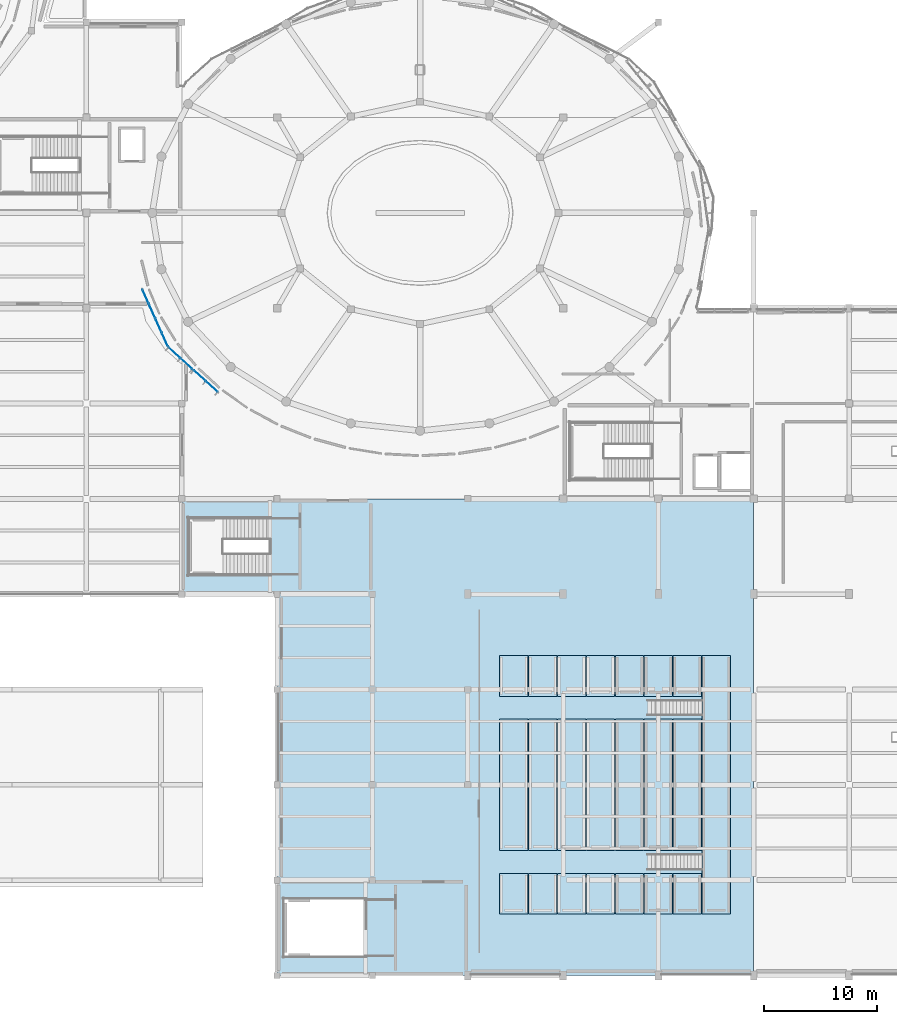
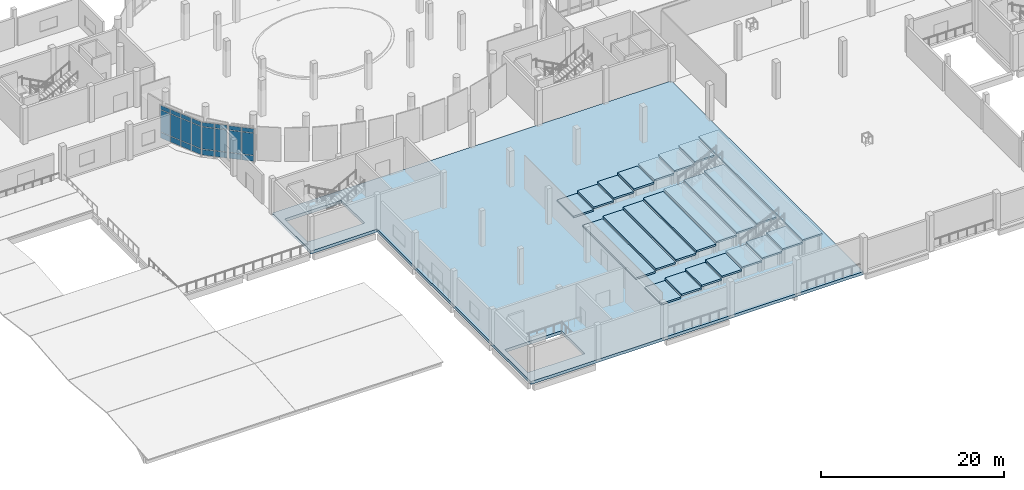
# One storey, part 32 of 63: 24 plates, 23 slabs, 3 elements without a shape of their own.
"""IFC4 building model written with IfcOpenShell, lengths in metres."""

from ifc_helpers import new_model, si_unit, derived_unit, direction, frame, origin, origin_2d, place, context, subcontext, project, spatial, polyline, rectangle, outline, extrude, material, layer, layer_set, type_object, element, aggregate, save


model = new_model("IFC4")

# Units and contexts
model_context = context("Model", 3, precision=1e-05, world=origin(), true_north=direction((0.0, 1.0)))
body_context = subcontext(model_context, "Body", "Model", "MODEL_VIEW")
ifc_project = project(units=[si_unit("LENGTHUNIT", "METRE"), si_unit("AREAUNIT", "SQUARE_METRE"), si_unit("VOLUMEUNIT", "CUBIC_METRE"), si_unit("PLANEANGLEUNIT", "RADIAN"), si_unit("MASSUNIT", "GRAM", prefix="KILO"), derived_unit("THERMALTRANSMITTANCEUNIT", [(si_unit("POWERUNIT", "WATT"), 1), (si_unit("LENGTHUNIT", "METRE"), -2), (si_unit("THERMODYNAMICTEMPERATUREUNIT", "KELVIN"), -1)])], contexts=[model_context])

# Site, building, storey
site_placement = place(None, origin())
site = spatial("IfcSite", under=ifc_project, at=site_placement, CompositionType="ELEMENT")
building_placement = place(site_placement, origin())
building = spatial("IfcBuilding", under=site, at=building_placement, Name="Elbkamm Science Centre", CompositionType="ELEMENT")
storey_placement = place(building_placement, frame((0.0, 0.0, 5.10009765625)))
storey = spatial("IfcBuildingStorey", under=building, at=storey_placement, Name="L01", CompositionType="ELEMENT", Elevation=5.10009765625)

# Curtain wall, plates
ifc_material_1 = material(Name="Powder-coated aluminium and triple low-E glazing", Category="aluminium")
ifc_layer_1 = layer(ifc_material_1, 0.159912109375)
ifc_layer_set_1 = layer_set([ifc_layer_1], Name="Powder-coated aluminium and triple low-E glazing")
curtain_wall_type_1 = type_object("IfcCurtainWallType", Name="CW-UNIT-5580x4500", PredefinedType="USERDEFINED", material=ifc_layer_set_1)
curtain_wall_1_placement = place(storey_placement, origin())
curtain_wall_1 = element("IfcCurtainWall", 1, at=curtain_wall_1_placement, inside=storey, type_object=curtain_wall_type_1, Name="L01 Unitised Curtain Wall 012", ObjectType="UNITISED CURTAIN WALL", PredefinedType="USERDEFINED")
ifc_material_2 = material(Name="Triple solar-control insulated safety glass", Category="glass")
ifc_layer_2 = layer(ifc_material_2, 0.048095703125)
ifc_layer_set_2 = layer_set([ifc_layer_2], Name="Triple solar-control insulated safety glass")
plate_type = type_object("IfcPlateType", Name="CW-PNL-48", PredefinedType="CURTAIN_PANEL", material=ifc_layer_set_2)
plate_1_placement = place(storey_placement, frame((38.8046875, 59.8271484375, 0.06982421875), z_axis=(0.0, 0.0, 1.0), x_axis=(0.408509663981, -0.912753994477, 0.0)))
plate_1 = element("IfcPlate", 2, at=plate_1_placement, type_object=plate_type, Name="CW-007 panel 1.1", PredefinedType="CURTAIN_PANEL", context=body_context, shape_type="SweptSolid", body=[
    extrude(rectangle(XDim=1.2919921875, YDim=0.048095703125, at=origin_2d()), origin(), (0.0, 0.0, 1.0), 0.7451171875),
])
plate_2_placement = place(storey_placement, frame((38.8046875, 59.8271484375, 0.884765625), z_axis=(0.0, 0.0, 1.0), x_axis=(0.408509663981, -0.912753994477, 0.0)))
plate_2 = element("IfcPlate", 3, at=plate_2_placement, type_object=plate_type, Name="CW-007 panel 1.2", PredefinedType="CURTAIN_PANEL", context=body_context, shape_type="SweptSolid", body=[
    extrude(rectangle(XDim=1.2919921875, YDim=0.048095703125, at=origin_2d()), origin(), (0.0, 0.0, 1.0), 2.929931640625),
])
plate_3_placement = place(storey_placement, frame((38.8046875, 59.8271484375, 3.885009765625), z_axis=(0.0, 0.0, 1.0), x_axis=(0.408509663981, -0.912753994477, 0.0)))
plate_3 = element("IfcPlate", 4, at=plate_3_placement, type_object=plate_type, Name="CW-007 panel 1.3", PredefinedType="CURTAIN_PANEL", context=body_context, shape_type="SweptSolid", body=[
    extrude(rectangle(XDim=1.2919921875, YDim=0.048095703125, at=origin_2d()), origin(), (0.0, 0.0, 1.0), 0.544921875),
])
plate_4_placement = place(storey_placement, frame((39.368408203125, 58.568115234375, 0.06982421875), z_axis=(0.0, 0.0, 1.0), x_axis=(0.408509663981, -0.912753994477, 0.0)))
plate_4 = element("IfcPlate", 5, at=plate_4_placement, type_object=plate_type, Name="CW-007 panel 2.1", PredefinedType="CURTAIN_PANEL", context=body_context, shape_type="SweptSolid", body=[
    extrude(rectangle(XDim=1.3271484375, YDim=0.048095703125, at=origin_2d()), origin(), (0.0, 0.0, 1.0), 0.7451171875),
])
plate_5_placement = place(storey_placement, frame((39.368408203125, 58.568115234375, 0.884765625), z_axis=(0.0, 0.0, 1.0), x_axis=(0.408509663981, -0.912753994477, 0.0)))
plate_5 = element("IfcPlate", 6, at=plate_5_placement, type_object=plate_type, Name="CW-007 panel 2.2", PredefinedType="CURTAIN_PANEL", context=body_context, shape_type="SweptSolid", body=[
    extrude(rectangle(XDim=1.3271484375, YDim=0.048095703125, at=origin_2d()), origin(), (0.0, 0.0, 1.0), 2.929931640625),
])
plate_6_placement = place(storey_placement, frame((39.368408203125, 58.568115234375, 3.885009765625), z_axis=(0.0, 0.0, 1.0), x_axis=(0.408509663981, -0.912753994477, 0.0)))
plate_6 = element("IfcPlate", 7, at=plate_6_placement, type_object=plate_type, Name="CW-007 panel 2.3", PredefinedType="CURTAIN_PANEL", context=body_context, shape_type="SweptSolid", body=[
    extrude(rectangle(XDim=1.3271484375, YDim=0.048095703125, at=origin_2d()), origin(), (0.0, 0.0, 1.0), 0.544921875),
])
plate_7_placement = place(storey_placement, frame((39.93896484375, 57.292724609375, 0.06982421875), z_axis=(0.0, 0.0, 1.0), x_axis=(0.408509663981, -0.912753994477, 0.0)))
plate_7 = element("IfcPlate", 8, at=plate_7_placement, type_object=plate_type, Name="CW-007 panel 3.1", PredefinedType="CURTAIN_PANEL", context=body_context, shape_type="SweptSolid", body=[
    extrude(rectangle(XDim=1.3271484375, YDim=0.048095703125, at=origin_2d()), origin(), (0.0, 0.0, 1.0), 0.7451171875),
])
plate_8_placement = place(storey_placement, frame((39.93896484375, 57.292724609375, 0.884765625), z_axis=(0.0, 0.0, 1.0), x_axis=(0.408509663981, -0.912753994477, 0.0)))
plate_8 = element("IfcPlate", 9, at=plate_8_placement, type_object=plate_type, Name="CW-007 panel 3.2", PredefinedType="CURTAIN_PANEL", context=body_context, shape_type="SweptSolid", body=[
    extrude(rectangle(XDim=1.3271484375, YDim=0.048095703125, at=origin_2d()), origin(), (0.0, 0.0, 1.0), 2.929931640625),
])
plate_9_placement = place(storey_placement, frame((39.93896484375, 57.292724609375, 3.885009765625), z_axis=(0.0, 0.0, 1.0), x_axis=(0.408509663981, -0.912753994477, 0.0)))
plate_9 = element("IfcPlate", 10, at=plate_9_placement, type_object=plate_type, Name="CW-007 panel 3.3", PredefinedType="CURTAIN_PANEL", context=body_context, shape_type="SweptSolid", body=[
    extrude(rectangle(XDim=1.3271484375, YDim=0.048095703125, at=origin_2d()), origin(), (0.0, 0.0, 1.0), 0.544921875),
])
plate_10_placement = place(storey_placement, frame((40.502685546875, 56.03369140625, 0.06982421875), z_axis=(0.0, 0.0, 1.0), x_axis=(0.408509663981, -0.912753994477, 0.0)))
plate_10 = element("IfcPlate", 11, at=plate_10_placement, type_object=plate_type, Name="CW-007 panel 4.1", PredefinedType="CURTAIN_PANEL", context=body_context, shape_type="SweptSolid", body=[
    extrude(rectangle(XDim=1.2919921875, YDim=0.048095703125, at=origin_2d()), origin(), (0.0, 0.0, 1.0), 0.7451171875),
])
plate_11_placement = place(storey_placement, frame((40.502685546875, 56.03369140625, 0.884765625), z_axis=(0.0, 0.0, 1.0), x_axis=(0.408509663981, -0.912753994477, 0.0)))
plate_11 = element("IfcPlate", 12, at=plate_11_placement, type_object=plate_type, Name="CW-007 panel 4.2", PredefinedType="CURTAIN_PANEL", context=body_context, shape_type="SweptSolid", body=[
    extrude(rectangle(XDim=1.2919921875, YDim=0.048095703125, at=origin_2d()), origin(), (0.0, 0.0, 1.0), 2.929931640625),
])
plate_12_placement = place(storey_placement, frame((40.502685546875, 56.03369140625, 3.885009765625), z_axis=(0.0, 0.0, 1.0), x_axis=(0.408509663981, -0.912753994477, 0.0)))
plate_12 = element("IfcPlate", 13, at=plate_12_placement, type_object=plate_type, Name="CW-007 panel 4.3", PredefinedType="CURTAIN_PANEL", context=body_context, shape_type="SweptSolid", body=[
    extrude(rectangle(XDim=1.2919921875, YDim=0.048095703125, at=origin_2d()), origin(), (0.0, 0.0, 1.0), 0.544921875),
])
aggregate(curtain_wall_1, [plate_1, plate_2, plate_3, plate_4, plate_5, plate_6, plate_7, plate_8, plate_9, plate_10, plate_11, plate_12])

ifc_layer_3 = layer(ifc_material_1, 0.159912109375)
ifc_layer_set_3 = layer_set([ifc_layer_3], Name="Powder-coated aluminium and triple low-E glazing")
curtain_wall_type_2 = type_object("IfcCurtainWallType", Name="CW-UNIT-2940x4500", PredefinedType="USERDEFINED", material=ifc_layer_set_3)
curtain_wall_2_placement = place(storey_placement, origin())
curtain_wall_2 = element("IfcCurtainWall", 14, at=curtain_wall_2_placement, inside=storey, type_object=curtain_wall_type_2, Name="L01 Unitised Curtain Wall 013", ObjectType="UNITISED CURTAIN WALL", PredefinedType="USERDEFINED")
plate_13_placement = place(storey_placement, frame((41.3505859375, 54.8759765625, 0.06982421875), z_axis=(0.0, 0.0, 1.0), x_axis=(0.740557474448, -0.671993026035, 0.0)))
plate_13 = element("IfcPlate", 15, at=plate_13_placement, type_object=plate_type, Name="CW-008 panel 1.1", PredefinedType="CURTAIN_PANEL", context=body_context, shape_type="SweptSolid", body=[
    extrude(rectangle(XDim=1.360107421875, YDim=0.048095703125, at=origin_2d()), origin(), (0.0, 0.0, 1.0), 0.7451171875),
])
plate_14_placement = place(storey_placement, frame((41.3505859375, 54.8759765625, 0.884765625), z_axis=(0.0, 0.0, 1.0), x_axis=(0.740557474448, -0.671993026035, 0.0)))
plate_14 = element("IfcPlate", 16, at=plate_14_placement, type_object=plate_type, Name="CW-008 panel 1.2", PredefinedType="CURTAIN_PANEL", context=body_context, shape_type="SweptSolid", body=[
    extrude(rectangle(XDim=1.360107421875, YDim=0.048095703125, at=origin_2d()), origin(), (0.0, 0.0, 1.0), 2.929931640625),
])
plate_15_placement = place(storey_placement, frame((41.3505859375, 54.8759765625, 3.885009765625), z_axis=(0.0, 0.0, 1.0), x_axis=(0.740557474448, -0.671993026035, 0.0)))
plate_15 = element("IfcPlate", 17, at=plate_15_placement, type_object=plate_type, Name="CW-008 panel 1.3", PredefinedType="CURTAIN_PANEL", context=body_context, shape_type="SweptSolid", body=[
    extrude(rectangle(XDim=1.360107421875, YDim=0.048095703125, at=origin_2d()), origin(), (0.0, 0.0, 1.0), 0.544921875),
])
plate_16_placement = place(storey_placement, frame((42.40966796875, 53.9150390625, 0.06982421875), z_axis=(0.0, 0.0, 1.0), x_axis=(0.740557474448, -0.671993026035, 0.0)))
plate_16 = element("IfcPlate", 18, at=plate_16_placement, type_object=plate_type, Name="CW-008 panel 2.1", PredefinedType="CURTAIN_PANEL", context=body_context, shape_type="SweptSolid", body=[
    extrude(rectangle(XDim=1.360107421875, YDim=0.048095703125, at=origin_2d()), origin(), (0.0, 0.0, 1.0), 0.7451171875),
])
plate_17_placement = place(storey_placement, frame((42.40966796875, 53.9150390625, 0.884765625), z_axis=(0.0, 0.0, 1.0), x_axis=(0.740557474448, -0.671993026035, 0.0)))
plate_17 = element("IfcPlate", 19, at=plate_17_placement, type_object=plate_type, Name="CW-008 panel 2.2", PredefinedType="CURTAIN_PANEL", context=body_context, shape_type="SweptSolid", body=[
    extrude(rectangle(XDim=1.360107421875, YDim=0.048095703125, at=origin_2d()), origin(), (0.0, 0.0, 1.0), 2.929931640625),
])
plate_18_placement = place(storey_placement, frame((42.40966796875, 53.9150390625, 3.885009765625), z_axis=(0.0, 0.0, 1.0), x_axis=(0.740557474448, -0.671993026035, 0.0)))
plate_18 = element("IfcPlate", 20, at=plate_18_placement, type_object=plate_type, Name="CW-008 panel 2.3", PredefinedType="CURTAIN_PANEL", context=body_context, shape_type="SweptSolid", body=[
    extrude(rectangle(XDim=1.360107421875, YDim=0.048095703125, at=origin_2d()), origin(), (0.0, 0.0, 1.0), 0.544921875),
])
aggregate(curtain_wall_2, [plate_13, plate_14, plate_15, plate_16, plate_17, plate_18])

curtain_wall_3_placement = place(storey_placement, origin())
curtain_wall_3 = element("IfcCurtainWall", 21, at=curtain_wall_3_placement, inside=storey, type_object=curtain_wall_type_2, Name="L01 Unitised Curtain Wall 014", ObjectType="UNITISED CURTAIN WALL", PredefinedType="USERDEFINED")
plate_19_placement = place(storey_placement, frame((43.57958984375, 52.853271484375, 0.06982421875), z_axis=(0.0, 0.0, 1.0), x_axis=(0.740557474448, -0.671993026035, 0.0)))
plate_19 = element("IfcPlate", 22, at=plate_19_placement, type_object=plate_type, Name="CW-008 panel 1.1", PredefinedType="CURTAIN_PANEL", context=body_context, shape_type="SweptSolid", body=[
    extrude(rectangle(XDim=1.360107421875, YDim=0.048095703125, at=origin_2d()), origin(), (0.0, 0.0, 1.0), 0.7451171875),
])
plate_20_placement = place(storey_placement, frame((43.57958984375, 52.853271484375, 0.884765625), z_axis=(0.0, 0.0, 1.0), x_axis=(0.740557474448, -0.671993026035, 0.0)))
plate_20 = element("IfcPlate", 23, at=plate_20_placement, type_object=plate_type, Name="CW-008 panel 1.2", PredefinedType="CURTAIN_PANEL", context=body_context, shape_type="SweptSolid", body=[
    extrude(rectangle(XDim=1.360107421875, YDim=0.048095703125, at=origin_2d()), origin(), (0.0, 0.0, 1.0), 2.929931640625),
])
plate_21_placement = place(storey_placement, frame((43.57958984375, 52.853271484375, 3.885009765625), z_axis=(0.0, 0.0, 1.0), x_axis=(0.740557474448, -0.671993026035, 0.0)))
plate_21 = element("IfcPlate", 24, at=plate_21_placement, type_object=plate_type, Name="CW-008 panel 1.3", PredefinedType="CURTAIN_PANEL", context=body_context, shape_type="SweptSolid", body=[
    extrude(rectangle(XDim=1.360107421875, YDim=0.048095703125, at=origin_2d()), origin(), (0.0, 0.0, 1.0), 0.544921875),
])
plate_22_placement = place(storey_placement, frame((44.638671875, 51.89208984375, 0.06982421875), z_axis=(0.0, 0.0, 1.0), x_axis=(0.740557474448, -0.671993026035, 0.0)))
plate_22 = element("IfcPlate", 25, at=plate_22_placement, type_object=plate_type, Name="CW-008 panel 2.1", PredefinedType="CURTAIN_PANEL", context=body_context, shape_type="SweptSolid", body=[
    extrude(rectangle(XDim=1.360107421875, YDim=0.048095703125, at=origin_2d()), origin(), (0.0, 0.0, 1.0), 0.7451171875),
])
plate_23_placement = place(storey_placement, frame((44.638671875, 51.89208984375, 0.884765625), z_axis=(0.0, 0.0, 1.0), x_axis=(0.740557474448, -0.671993026035, 0.0)))
plate_23 = element("IfcPlate", 26, at=plate_23_placement, type_object=plate_type, Name="CW-008 panel 2.2", PredefinedType="CURTAIN_PANEL", context=body_context, shape_type="SweptSolid", body=[
    extrude(rectangle(XDim=1.360107421875, YDim=0.048095703125, at=origin_2d()), origin(), (0.0, 0.0, 1.0), 2.929931640625),
])
plate_24_placement = place(storey_placement, frame((44.638671875, 51.89208984375, 3.885009765625), z_axis=(0.0, 0.0, 1.0), x_axis=(0.740557474448, -0.671993026035, 0.0)))
plate_24 = element("IfcPlate", 27, at=plate_24_placement, type_object=plate_type, Name="CW-008 panel 2.3", PredefinedType="CURTAIN_PANEL", context=body_context, shape_type="SweptSolid", body=[
    extrude(rectangle(XDim=1.360107421875, YDim=0.048095703125, at=origin_2d()), origin(), (0.0, 0.0, 1.0), 0.544921875),
])
aggregate(curtain_wall_3, [plate_19, plate_20, plate_21, plate_22, plate_23, plate_24])

# Slabs
ifc_material_3 = material(Name="Reinforced concrete C40/50", Category="concrete")
ifc_layer_4 = layer(ifc_material_3, 0.39990234375)
ifc_layer_set_4 = layer_set([ifc_layer_4], Name="Reinforced concrete C40/50")
slab_type_1 = type_object("IfcSlabType", Name="SLAB-FLR-400", PredefinedType="FLOOR", material=ifc_layer_set_4)
slab_1_placement = place(storey_placement, frame((0.0, 0.0, -0.400146484375)))
element("IfcSlab", 28, at=slab_1_placement, inside=storey, type_object=slab_type_1, Name="L01 Structural Slab CS-03", PredefinedType="FLOOR", context=body_context, shape_type="SweptSolid", body=[
    extrude(outline(polyline([(67.199951171875, 0.0), (50.39990234375, 0.0), (50.39990234375, 8.39990234375), (50.39990234375, 33.60009765625), (42.0, 33.60009765625), (42.0, 42.0), (92.39990234375, 42.0), (92.39990234375, 0.0), (67.199951171875, 0.0)]), holes=[polyline([(42.60009765625, 35.280029296875), (49.780029296875, 35.280029296875), (49.780029296875, 40.320068359375), (42.60009765625, 40.320068359375), (42.60009765625, 35.280029296875)]), polyline([(51.0, 6.719970703125), (51.0, 1.679931640625), (58.179931640625, 1.679931640625), (58.179931640625, 6.719970703125), (51.0, 6.719970703125)])]), origin(), (0.0, 0.0, 1.0), 0.400146484375),
])
ifc_material_4 = material(Name="Precast concrete C40/50", Category="concrete")
ifc_layer_5 = layer(ifc_material_4, 0.22998046875)
ifc_layer_set_5 = layer_set([ifc_layer_5], Name="Precast concrete C40/50")
slab_type_2 = type_object("IfcSlabType", Name="SLAB-TIER-230", PredefinedType="USERDEFINED", material=ifc_layer_set_5)
slab_2_placement = place(storey_placement, frame((0.0, 0.0, 0.08984375)))
element("IfcSlab", 29, at=slab_2_placement, inside=storey, type_object=slab_type_2, Name="Science Theatre Raked Seating Tier 1 Section 1", ObjectType="SEATING TIER", PredefinedType="USERDEFINED", context=body_context, shape_type="SweptSolid", body=[
    extrude(outline(polyline([(70.0, 5.39990234375), (70.0, 9.0), (72.5, 9.0), (72.5, 5.39990234375), (70.0, 5.39990234375)])), origin(), (0.0, 0.0, 1.0), 0.22998046875),
])
slab_3_placement = place(storey_placement, frame((0.0, 0.0, 0.08984375)))
element("IfcSlab", 30, at=slab_3_placement, inside=storey, type_object=slab_type_2, Name="Science Theatre Raked Seating Tier 1 Section 2", ObjectType="SEATING TIER", PredefinedType="USERDEFINED", context=body_context, shape_type="SweptSolid", body=[
    extrude(outline(polyline([(72.5, 28.199951171875), (72.5, 24.60009765625), (70.0, 24.60009765625), (70.0, 28.199951171875), (72.5, 28.199951171875)])), origin(), (0.0, 0.0, 1.0), 0.22998046875),
])
slab_4_placement = place(storey_placement, frame((0.0, 0.0, 0.08984375)))
element("IfcSlab", 31, at=slab_4_placement, inside=storey, type_object=slab_type_2, Name="Science Theatre Raked Seating Tier 1 Section 3", ObjectType="SEATING TIER", PredefinedType="USERDEFINED", context=body_context, shape_type="SweptSolid", body=[
    extrude(outline(polyline([(72.5, 11.0), (70.0, 11.0), (70.0, 22.60009765625), (72.5, 22.60009765625), (72.5, 11.0)])), origin(), (0.0, 0.0, 1.0), 0.22998046875),
])
slab_5_placement = place(storey_placement, frame((0.0, 0.0, 0.409912109375)))
element("IfcSlab", 32, at=slab_5_placement, inside=storey, type_object=slab_type_2, Name="Science Theatre Raked Seating Tier 2 Section 1", ObjectType="SEATING TIER", PredefinedType="USERDEFINED", context=body_context, shape_type="SweptSolid", body=[
    extrude(outline(polyline([(72.550048828125, 5.39990234375), (72.550048828125, 9.0), (75.050048828125, 9.0), (75.050048828125, 5.39990234375), (72.550048828125, 5.39990234375)])), origin(), (0.0, 0.0, 1.0), 0.22998046875),
])
slab_6_placement = place(storey_placement, frame((0.0, 0.0, 0.409912109375)))
element("IfcSlab", 33, at=slab_6_placement, inside=storey, type_object=slab_type_2, Name="Science Theatre Raked Seating Tier 2 Section 2", ObjectType="SEATING TIER", PredefinedType="USERDEFINED", context=body_context, shape_type="SweptSolid", body=[
    extrude(outline(polyline([(75.050048828125, 28.199951171875), (75.050048828125, 24.60009765625), (72.550048828125, 24.60009765625), (72.550048828125, 28.199951171875), (75.050048828125, 28.199951171875)])), origin(), (0.0, 0.0, 1.0), 0.22998046875),
])
slab_7_placement = place(storey_placement, frame((0.0, 0.0, 0.409912109375)))
element("IfcSlab", 34, at=slab_7_placement, inside=storey, type_object=slab_type_2, Name="Science Theatre Raked Seating Tier 2 Section 3", ObjectType="SEATING TIER", PredefinedType="USERDEFINED", context=body_context, shape_type="SweptSolid", body=[
    extrude(outline(polyline([(75.050048828125, 11.0), (72.550048828125, 11.0), (72.550048828125, 22.60009765625), (75.050048828125, 22.60009765625), (75.050048828125, 11.0)])), origin(), (0.0, 0.0, 1.0), 0.22998046875),
])
slab_8_placement = place(storey_placement, frame((0.0, 0.0, 0.72998046875)))
element("IfcSlab", 35, at=slab_8_placement, inside=storey, type_object=slab_type_2, Name="Science Theatre Raked Seating Tier 3 Section 1", ObjectType="SEATING TIER", PredefinedType="USERDEFINED", context=body_context, shape_type="SweptSolid", body=[
    extrude(outline(polyline([(75.10009765625, 5.39990234375), (75.10009765625, 9.0), (77.60009765625, 9.0), (77.60009765625, 5.39990234375), (75.10009765625, 5.39990234375)])), origin(), (0.0, 0.0, 1.0), 0.22998046875),
])
slab_9_placement = place(storey_placement, frame((0.0, 0.0, 0.72998046875)))
element("IfcSlab", 36, at=slab_9_placement, inside=storey, type_object=slab_type_2, Name="Science Theatre Raked Seating Tier 3 Section 2", ObjectType="SEATING TIER", PredefinedType="USERDEFINED", context=body_context, shape_type="SweptSolid", body=[
    extrude(outline(polyline([(77.60009765625, 28.199951171875), (77.60009765625, 24.60009765625), (75.10009765625, 24.60009765625), (75.10009765625, 28.199951171875), (77.60009765625, 28.199951171875)])), origin(), (0.0, 0.0, 1.0), 0.22998046875),
])
slab_10_placement = place(storey_placement, frame((0.0, 0.0, 0.72998046875)))
element("IfcSlab", 37, at=slab_10_placement, inside=storey, type_object=slab_type_2, Name="Science Theatre Raked Seating Tier 3 Section 3", ObjectType="SEATING TIER", PredefinedType="USERDEFINED", context=body_context, shape_type="SweptSolid", body=[
    extrude(outline(polyline([(77.60009765625, 11.0), (75.10009765625, 11.0), (75.10009765625, 22.60009765625), (77.60009765625, 22.60009765625), (77.60009765625, 11.0)])), origin(), (0.0, 0.0, 1.0), 0.22998046875),
])
slab_11_placement = place(storey_placement, frame((0.0, 0.0, 1.0498046875)))
element("IfcSlab", 38, at=slab_11_placement, inside=storey, type_object=slab_type_2, Name="Science Theatre Raked Seating Tier 4 Section 1", ObjectType="SEATING TIER", PredefinedType="USERDEFINED", context=body_context, shape_type="SweptSolid", body=[
    extrude(outline(polyline([(77.64990234375, 5.39990234375), (77.64990234375, 9.0), (80.14990234375, 9.0), (80.14990234375, 5.39990234375), (77.64990234375, 5.39990234375)])), origin(), (0.0, 0.0, 1.0), 0.22998046875),
])
slab_12_placement = place(storey_placement, frame((0.0, 0.0, 1.0498046875)))
element("IfcSlab", 39, at=slab_12_placement, inside=storey, type_object=slab_type_2, Name="Science Theatre Raked Seating Tier 4 Section 2", ObjectType="SEATING TIER", PredefinedType="USERDEFINED", context=body_context, shape_type="SweptSolid", body=[
    extrude(outline(polyline([(80.14990234375, 28.199951171875), (80.14990234375, 24.60009765625), (77.64990234375, 24.60009765625), (77.64990234375, 28.199951171875), (80.14990234375, 28.199951171875)])), origin(), (0.0, 0.0, 1.0), 0.22998046875),
])
slab_13_placement = place(storey_placement, frame((0.0, 0.0, 1.0498046875)))
element("IfcSlab", 40, at=slab_13_placement, inside=storey, type_object=slab_type_2, Name="Science Theatre Raked Seating Tier 4 Section 3", ObjectType="SEATING TIER", PredefinedType="USERDEFINED", context=body_context, shape_type="SweptSolid", body=[
    extrude(outline(polyline([(80.14990234375, 11.0), (77.64990234375, 11.0), (77.64990234375, 22.60009765625), (80.14990234375, 22.60009765625), (80.14990234375, 11.0)])), origin(), (0.0, 0.0, 1.0), 0.22998046875),
])
slab_14_placement = place(storey_placement, frame((0.0, 0.0, 1.369873046875)))
element("IfcSlab", 41, at=slab_14_placement, inside=storey, type_object=slab_type_2, Name="Science Theatre Raked Seating Tier 5 Section 1", ObjectType="SEATING TIER", PredefinedType="USERDEFINED", context=body_context, shape_type="SweptSolid", body=[
    extrude(outline(polyline([(80.199951171875, 5.39990234375), (80.199951171875, 9.0), (82.699951171875, 9.0), (82.699951171875, 5.39990234375), (80.199951171875, 5.39990234375)])), origin(), (0.0, 0.0, 1.0), 0.22998046875),
])
slab_15_placement = place(storey_placement, frame((0.0, 0.0, 1.369873046875)))
element("IfcSlab", 42, at=slab_15_placement, inside=storey, type_object=slab_type_2, Name="Science Theatre Raked Seating Tier 5 Section 2", ObjectType="SEATING TIER", PredefinedType="USERDEFINED", context=body_context, shape_type="SweptSolid", body=[
    extrude(outline(polyline([(82.699951171875, 28.199951171875), (82.699951171875, 24.60009765625), (80.199951171875, 24.60009765625), (80.199951171875, 28.199951171875), (82.699951171875, 28.199951171875)])), origin(), (0.0, 0.0, 1.0), 0.22998046875),
])
slab_16_placement = place(storey_placement, frame((0.0, 0.0, 1.369873046875)))
element("IfcSlab", 43, at=slab_16_placement, inside=storey, type_object=slab_type_2, Name="Science Theatre Raked Seating Tier 5 Section 3", ObjectType="SEATING TIER", PredefinedType="USERDEFINED", context=body_context, shape_type="SweptSolid", body=[
    extrude(outline(polyline([(82.699951171875, 11.0), (80.199951171875, 11.0), (80.199951171875, 22.60009765625), (82.699951171875, 22.60009765625), (82.699951171875, 11.0)])), origin(), (0.0, 0.0, 1.0), 0.22998046875),
])
slab_17_placement = place(storey_placement, frame((0.0, 0.0, 1.68994140625)))
element("IfcSlab", 44, at=slab_17_placement, inside=storey, type_object=slab_type_2, Name="Science Theatre Raked Seating Tier 6 Section 1", ObjectType="SEATING TIER", PredefinedType="USERDEFINED", context=body_context, shape_type="SweptSolid", body=[
    extrude(outline(polyline([(82.75, 5.39990234375), (82.75, 9.0), (85.25, 9.0), (85.25, 5.39990234375), (82.75, 5.39990234375)])), origin(), (0.0, 0.0, 1.0), 0.22998046875),
])
slab_18_placement = place(storey_placement, frame((0.0, 0.0, 1.68994140625)))
element("IfcSlab", 45, at=slab_18_placement, inside=storey, type_object=slab_type_2, Name="Science Theatre Raked Seating Tier 6 Section 2", ObjectType="SEATING TIER", PredefinedType="USERDEFINED", context=body_context, shape_type="SweptSolid", body=[
    extrude(outline(polyline([(85.25, 28.199951171875), (85.25, 24.60009765625), (82.75, 24.60009765625), (82.75, 28.199951171875), (85.25, 28.199951171875)])), origin(), (0.0, 0.0, 1.0), 0.22998046875),
])
slab_19_placement = place(storey_placement, frame((0.0, 0.0, 1.68994140625)))
element("IfcSlab", 46, at=slab_19_placement, inside=storey, type_object=slab_type_2, Name="Science Theatre Raked Seating Tier 6 Section 3", ObjectType="SEATING TIER", PredefinedType="USERDEFINED", context=body_context, shape_type="SweptSolid", body=[
    extrude(outline(polyline([(85.25, 11.0), (82.75, 11.0), (82.75, 22.60009765625), (85.25, 22.60009765625), (85.25, 11.0)])), origin(), (0.0, 0.0, 1.0), 0.22998046875),
])
slab_20_placement = place(storey_placement, frame((0.0, 0.0, 2.010009765625)))
element("IfcSlab", 47, at=slab_20_placement, inside=storey, type_object=slab_type_2, Name="Science Theatre Raked Seating Tier 7 Section 1", ObjectType="SEATING TIER", PredefinedType="USERDEFINED", context=body_context, shape_type="SweptSolid", body=[
    extrude(outline(polyline([(85.300048828125, 5.39990234375), (85.300048828125, 9.0), (87.800048828125, 9.0), (87.800048828125, 5.39990234375), (85.300048828125, 5.39990234375)])), origin(), (0.0, 0.0, 1.0), 0.22998046875),
])
slab_21_placement = place(storey_placement, frame((0.0, 0.0, 2.010009765625)))
element("IfcSlab", 48, at=slab_21_placement, inside=storey, type_object=slab_type_2, Name="Science Theatre Raked Seating Tier 7 Section 2", ObjectType="SEATING TIER", PredefinedType="USERDEFINED", context=body_context, shape_type="SweptSolid", body=[
    extrude(outline(polyline([(87.800048828125, 28.199951171875), (87.800048828125, 24.60009765625), (85.300048828125, 24.60009765625), (85.300048828125, 28.199951171875), (87.800048828125, 28.199951171875)])), origin(), (0.0, 0.0, 1.0), 0.22998046875),
])
slab_22_placement = place(storey_placement, frame((0.0, 0.0, 2.010009765625)))
element("IfcSlab", 49, at=slab_22_placement, inside=storey, type_object=slab_type_2, Name="Science Theatre Raked Seating Tier 7 Section 3", ObjectType="SEATING TIER", PredefinedType="USERDEFINED", context=body_context, shape_type="SweptSolid", body=[
    extrude(outline(polyline([(87.800048828125, 11.0), (85.300048828125, 11.0), (85.300048828125, 22.60009765625), (87.800048828125, 22.60009765625), (87.800048828125, 11.0)])), origin(), (0.0, 0.0, 1.0), 0.22998046875),
])
slab_23_placement = place(storey_placement, frame((0.0, 0.0, 2.329833984375)))
element("IfcSlab", 50, at=slab_23_placement, inside=storey, type_object=slab_type_2, Name="Science Theatre Raked Seating Tier 8 Section 1", ObjectType="SEATING TIER", PredefinedType="USERDEFINED", context=body_context, shape_type="SweptSolid", body=[
    extrude(outline(polyline([(90.35009765625, 5.39990234375), (90.35009765625, 28.199951171875), (87.85009765625, 28.199951171875), (87.85009765625, 5.39990234375), (90.35009765625, 5.39990234375)])), origin(), (0.0, 0.0, 1.0), 0.22998046875),
])

save(model, "model.ifc")
